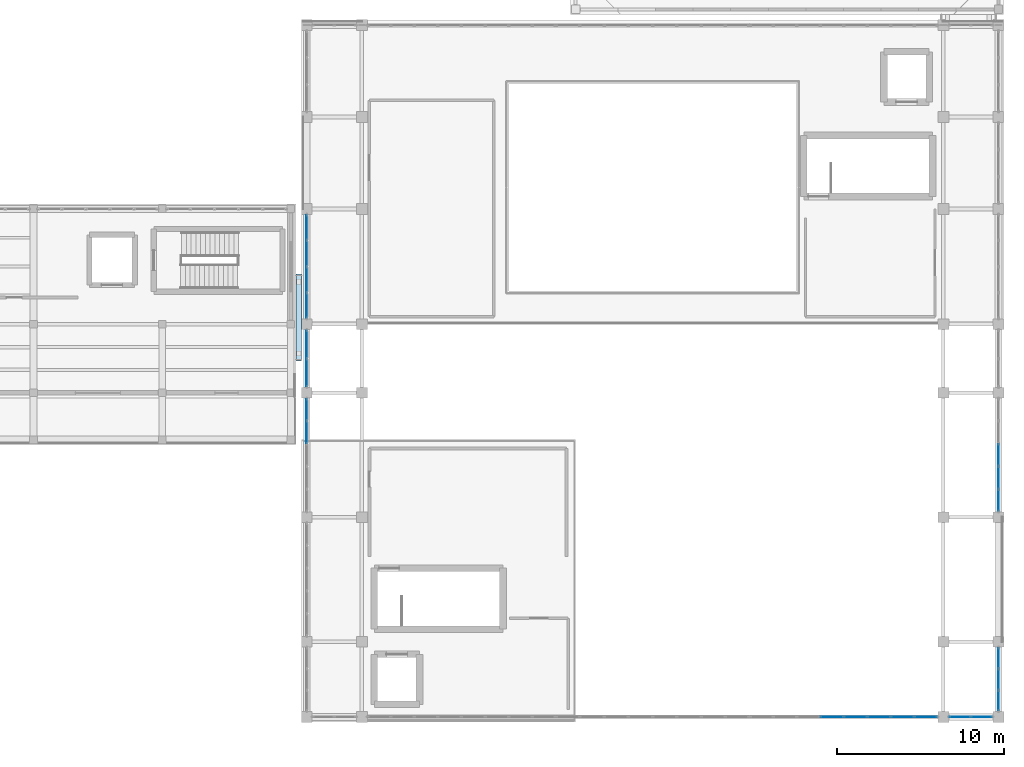
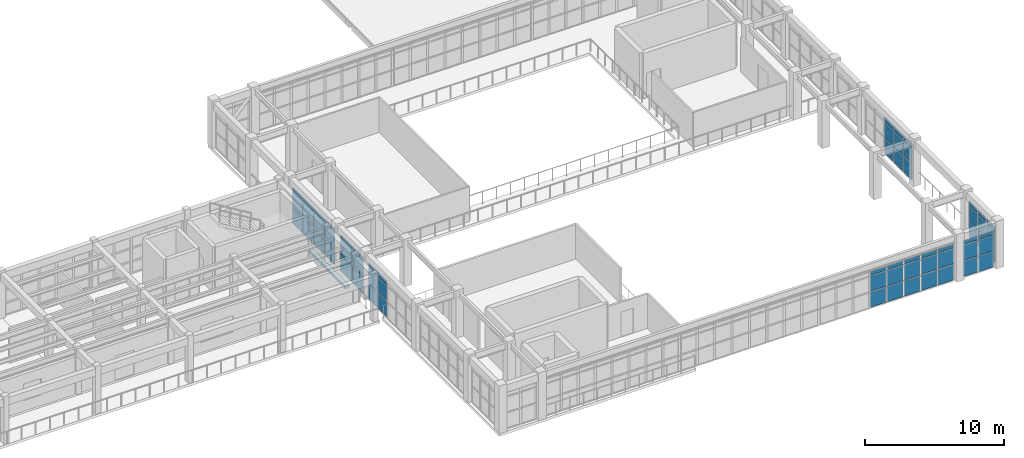
# One storey, part 43 of 66: 63 plates, 1 slab, 7 elements without a shape of their own.
"""IFC4 building model written with IfcOpenShell, lengths in metres."""

from ifc_helpers import new_model, si_unit, direction, frame, origin, origin_2d, place, context, subcontext, project, spatial, polyline, rectangle, outline, extrude, material, layer, layer_set, type_object, element, aggregate, save


model = new_model("IFC4")

# Units and contexts
model_context = context("Model", 3, precision=1e-05, world=origin(), true_north=direction((0.0, 1.0)))
body_context = subcontext(model_context, "Body", "Model", "MODEL_VIEW")
ifc_project = project(units=[si_unit("LENGTHUNIT", "METRE"), si_unit("AREAUNIT", "SQUARE_METRE"), si_unit("VOLUMEUNIT", "CUBIC_METRE"), si_unit("PLANEANGLEUNIT", "RADIAN"), si_unit("MASSUNIT", "GRAM", prefix="KILO")], contexts=[model_context])

# Site, building, storey
site_placement = place(None, origin())
site = spatial("IfcSite", under=ifc_project, at=site_placement, CompositionType="ELEMENT")
building_placement = place(site_placement, origin())
building = spatial("IfcBuilding", under=site, at=building_placement, Name="Candilejo Ridge Gondola Terminal", CompositionType="ELEMENT")
storey_placement = place(building_placement, frame((0.0, 0.0, 14.39990234375)))
storey = spatial("IfcBuildingStorey", under=building, at=storey_placement, Name="L03", CompositionType="ELEMENT", Elevation=14.39990234375)

# Curtain wall, plates
ifc_material_1 = material(Name="Anodised aluminium AA 6063-T6", Category="aluminium")
ifc_layer_1 = layer(ifc_material_1, 0.169921875)
ifc_layer_set_1 = layer_set([ifc_layer_1], Name="ARC-CW-HALL-3800-385X329")
curtain_wall_type_1 = type_object("IfcCurtainWallType", Name="ARC-CW-HALL-3800-385X329", PredefinedType="NOTDEFINED", material=ifc_layer_set_1)
curtain_wall_1_placement = place(storey_placement, origin())
curtain_wall_1 = element("IfcCurtainWall", 1, at=curtain_wall_1_placement, inside=storey, type_object=curtain_wall_type_1, Name="Curtain wall V4 L03-153", PredefinedType="NOTDEFINED")
ifc_material_2 = material(Name="Low-E laminated double glazing 6+12A+6+1.52PVB+6 mm", Category="glass")
ifc_layer_2 = layer(ifc_material_2, 0.028076171875)
ifc_layer_set_2 = layer_set([ifc_layer_2], Name="ARC-CW-GLAZ-PANEL")
plate_type = type_object("IfcPlateType", Name="ARC-CW-GLAZ-PANEL", PredefinedType="CURTAIN_PANEL", material=ifc_layer_set_2)
plate_1_placement = place(storey_placement, frame((175.300048828125, 7.282958984375, 0.06005859375), z_axis=(0.0, 0.0, 1.0), x_axis=(0.0, 1.0, 0.0)))
plate_1 = element("IfcPlate", 2, at=plate_1_placement, type_object=plate_type, Name="CW-38X32 panel 1.1", PredefinedType="CURTAIN_PANEL", context=body_context, shape_type="SweptSolid", body=[
    extrude(rectangle(XDim=1.185791015625, YDim=0.028076171875, at=origin_2d()), origin(), (0.0, 0.0, 1.0), 1.360107421875),
])
plate_2_placement = place(storey_placement, frame((175.300048828125, 7.282958984375, 1.47998046875), z_axis=(0.0, 0.0, 1.0), x_axis=(0.0, 1.0, 0.0)))
plate_2 = element("IfcPlate", 3, at=plate_2_placement, type_object=plate_type, Name="CW-38X32 panel 1.2", PredefinedType="CURTAIN_PANEL", context=body_context, shape_type="SweptSolid", body=[
    extrude(rectangle(XDim=1.185791015625, YDim=0.028076171875, at=origin_2d()), origin(), (0.0, 0.0, 1.0), 1.340087890625),
])
plate_3_placement = place(storey_placement, frame((175.300048828125, 7.282958984375, 2.880126953125), z_axis=(0.0, 0.0, 1.0), x_axis=(0.0, 1.0, 0.0)))
plate_3 = element("IfcPlate", 4, at=plate_3_placement, type_object=plate_type, Name="CW-38X32 panel 1.3", PredefinedType="CURTAIN_PANEL", context=body_context, shape_type="SweptSolid", body=[
    extrude(rectangle(XDim=1.185791015625, YDim=0.028076171875, at=origin_2d()), origin(), (0.0, 0.0, 1.0), 0.35009765625),
])
plate_4_placement = place(storey_placement, frame((175.300048828125, 8.550048828125, 0.06005859375), z_axis=(0.0, 0.0, 1.0), x_axis=(0.0, 1.0, 0.0)))
plate_4 = element("IfcPlate", 5, at=plate_4_placement, type_object=plate_type, Name="CW-38X32 panel 2.1", PredefinedType="CURTAIN_PANEL", context=body_context, shape_type="SweptSolid", body=[
    extrude(rectangle(XDim=1.21826171875, YDim=0.028076171875, at=origin_2d()), origin(), (0.0, 0.0, 1.0), 1.360107421875),
])
plate_5_placement = place(storey_placement, frame((175.300048828125, 8.550048828125, 1.47998046875), z_axis=(0.0, 0.0, 1.0), x_axis=(0.0, 1.0, 0.0)))
plate_5 = element("IfcPlate", 6, at=plate_5_placement, type_object=plate_type, Name="CW-38X32 panel 2.2", PredefinedType="CURTAIN_PANEL", context=body_context, shape_type="SweptSolid", body=[
    extrude(rectangle(XDim=1.21826171875, YDim=0.028076171875, at=origin_2d()), origin(), (0.0, 0.0, 1.0), 1.340087890625),
])
plate_6_placement = place(storey_placement, frame((175.300048828125, 8.550048828125, 2.880126953125), z_axis=(0.0, 0.0, 1.0), x_axis=(0.0, 1.0, 0.0)))
plate_6 = element("IfcPlate", 7, at=plate_6_placement, type_object=plate_type, Name="CW-38X32 panel 2.3", PredefinedType="CURTAIN_PANEL", context=body_context, shape_type="SweptSolid", body=[
    extrude(rectangle(XDim=1.21826171875, YDim=0.028076171875, at=origin_2d()), origin(), (0.0, 0.0, 1.0), 0.35009765625),
])
plate_7_placement = place(storey_placement, frame((175.300048828125, 9.817138671875, 0.06005859375), z_axis=(0.0, 0.0, 1.0), x_axis=(0.0, 1.0, 0.0)))
plate_7 = element("IfcPlate", 8, at=plate_7_placement, type_object=plate_type, Name="CW-38X32 panel 3.1", PredefinedType="CURTAIN_PANEL", context=body_context, shape_type="SweptSolid", body=[
    extrude(rectangle(XDim=1.185791015625, YDim=0.028076171875, at=origin_2d()), origin(), (0.0, 0.0, 1.0), 1.360107421875),
])
plate_8_placement = place(storey_placement, frame((175.300048828125, 9.817138671875, 1.47998046875), z_axis=(0.0, 0.0, 1.0), x_axis=(0.0, 1.0, 0.0)))
plate_8 = element("IfcPlate", 9, at=plate_8_placement, type_object=plate_type, Name="CW-38X32 panel 3.2", PredefinedType="CURTAIN_PANEL", context=body_context, shape_type="SweptSolid", body=[
    extrude(rectangle(XDim=1.185791015625, YDim=0.028076171875, at=origin_2d()), origin(), (0.0, 0.0, 1.0), 1.340087890625),
])
plate_9_placement = place(storey_placement, frame((175.300048828125, 9.817138671875, 2.880126953125), z_axis=(0.0, 0.0, 1.0), x_axis=(0.0, 1.0, 0.0)))
plate_9 = element("IfcPlate", 10, at=plate_9_placement, type_object=plate_type, Name="CW-38X32 panel 3.3", PredefinedType="CURTAIN_PANEL", context=body_context, shape_type="SweptSolid", body=[
    extrude(rectangle(XDim=1.185791015625, YDim=0.028076171875, at=origin_2d()), origin(), (0.0, 0.0, 1.0), 0.35009765625),
])
aggregate(curtain_wall_1, [plate_1, plate_2, plate_3, plate_4, plate_5, plate_6, plate_7, plate_8, plate_9])

ifc_material_3 = material(Name="Anodised aluminium AA 6063-T6", Category="aluminium")
ifc_layer_3 = layer(ifc_material_3, 0.169921875)
ifc_layer_set_3 = layer_set([ifc_layer_3], Name="ARC-CW-HALL-3800-680X329")
curtain_wall_type_2 = type_object("IfcCurtainWallType", Name="ARC-CW-HALL-3800-680X329", PredefinedType="NOTDEFINED", material=ifc_layer_set_3)
curtain_wall_2_placement = place(storey_placement, origin())
curtain_wall_2 = element("IfcCurtainWall", 11, at=curtain_wall_2_placement, inside=storey, type_object=curtain_wall_type_2, Name="Curtain wall V4 L03-155", PredefinedType="NOTDEFINED")
plate_10_placement = place(storey_placement, frame((133.89990234375, 23.3349609375, 0.06005859375), z_axis=(0.0, 0.0, 1.0), x_axis=(0.0, 1.0, 0.0)))
plate_10 = element("IfcPlate", 12, at=plate_10_placement, type_object=plate_type, Name="CW-68X32 panel 4.1", PredefinedType="CURTAIN_PANEL", context=body_context, shape_type="SweptSolid", body=[
    extrude(rectangle(XDim=1.294921875, YDim=0.028076171875, at=origin_2d()), origin(), (0.0, 0.0, 1.0), 1.360107421875),
])
plate_11_placement = place(storey_placement, frame((133.89990234375, 23.3349609375, 1.47998046875), z_axis=(0.0, 0.0, 1.0), x_axis=(0.0, 1.0, 0.0)))
plate_11 = element("IfcPlate", 13, at=plate_11_placement, type_object=plate_type, Name="CW-68X32 panel 4.2", PredefinedType="CURTAIN_PANEL", context=body_context, shape_type="SweptSolid", body=[
    extrude(rectangle(XDim=1.294921875, YDim=0.028076171875, at=origin_2d()), origin(), (0.0, 0.0, 1.0), 1.340087890625),
])
plate_12_placement = place(storey_placement, frame((133.89990234375, 23.3349609375, 2.880126953125), z_axis=(0.0, 0.0, 1.0), x_axis=(0.0, 1.0, 0.0)))
plate_12 = element("IfcPlate", 14, at=plate_12_placement, type_object=plate_type, Name="CW-68X32 panel 4.3", PredefinedType="CURTAIN_PANEL", context=body_context, shape_type="SweptSolid", body=[
    extrude(rectangle(XDim=1.294921875, YDim=0.028076171875, at=origin_2d()), origin(), (0.0, 0.0, 1.0), 0.35009765625),
])
plate_13_placement = place(storey_placement, frame((133.89990234375, 24.6787109375, 0.06005859375), z_axis=(0.0, 0.0, 1.0), x_axis=(0.0, 1.0, 0.0)))
plate_13 = element("IfcPlate", 15, at=plate_13_placement, type_object=plate_type, Name="CW-68X32 panel 5.1", PredefinedType="CURTAIN_PANEL", context=body_context, shape_type="SweptSolid", body=[
    extrude(rectangle(XDim=1.262451171875, YDim=0.028076171875, at=origin_2d()), origin(), (0.0, 0.0, 1.0), 1.360107421875),
])
plate_14_placement = place(storey_placement, frame((133.89990234375, 24.6787109375, 1.47998046875), z_axis=(0.0, 0.0, 1.0), x_axis=(0.0, 1.0, 0.0)))
plate_14 = element("IfcPlate", 16, at=plate_14_placement, type_object=plate_type, Name="CW-68X32 panel 5.2", PredefinedType="CURTAIN_PANEL", context=body_context, shape_type="SweptSolid", body=[
    extrude(rectangle(XDim=1.262451171875, YDim=0.028076171875, at=origin_2d()), origin(), (0.0, 0.0, 1.0), 1.340087890625),
])
plate_15_placement = place(storey_placement, frame((133.89990234375, 24.6787109375, 2.880126953125), z_axis=(0.0, 0.0, 1.0), x_axis=(0.0, 1.0, 0.0)))
plate_15 = element("IfcPlate", 17, at=plate_15_placement, type_object=plate_type, Name="CW-68X32 panel 5.3", PredefinedType="CURTAIN_PANEL", context=body_context, shape_type="SweptSolid", body=[
    extrude(rectangle(XDim=1.262451171875, YDim=0.028076171875, at=origin_2d()), origin(), (0.0, 0.0, 1.0), 0.35009765625),
])
aggregate(curtain_wall_2, [plate_10, plate_11, plate_12, plate_13, plate_14, plate_15])

curtain_wall_3_placement = place(storey_placement, origin())
curtain_wall_3 = element("IfcCurtainWall", 18, at=curtain_wall_3_placement, inside=storey, type_object=curtain_wall_type_2, Name="Curtain wall V4 L03-156", PredefinedType="NOTDEFINED")
plate_16_placement = place(storey_placement, frame((175.300048828125, 19.271240234375, 0.06005859375), z_axis=(0.0, 0.0, 1.0), x_axis=(0.0, 1.0, 0.0)))
plate_16 = element("IfcPlate", 19, at=plate_16_placement, type_object=plate_type, Name="CW-68X32 panel 1.1", PredefinedType="CURTAIN_PANEL", context=body_context, shape_type="SweptSolid", body=[
    extrude(rectangle(XDim=1.262451171875, YDim=0.028076171875, at=origin_2d()), origin(), (0.0, 0.0, 1.0), 1.360107421875),
])
plate_17_placement = place(storey_placement, frame((175.300048828125, 19.271240234375, 1.47998046875), z_axis=(0.0, 0.0, 1.0), x_axis=(0.0, 1.0, 0.0)))
plate_17 = element("IfcPlate", 20, at=plate_17_placement, type_object=plate_type, Name="CW-68X32 panel 1.2", PredefinedType="CURTAIN_PANEL", context=body_context, shape_type="SweptSolid", body=[
    extrude(rectangle(XDim=1.262451171875, YDim=0.028076171875, at=origin_2d()), origin(), (0.0, 0.0, 1.0), 1.340087890625),
])
plate_18_placement = place(storey_placement, frame((175.300048828125, 19.271240234375, 2.880126953125), z_axis=(0.0, 0.0, 1.0), x_axis=(0.0, 1.0, 0.0)))
plate_18 = element("IfcPlate", 21, at=plate_18_placement, type_object=plate_type, Name="CW-68X32 panel 1.3", PredefinedType="CURTAIN_PANEL", context=body_context, shape_type="SweptSolid", body=[
    extrude(rectangle(XDim=1.262451171875, YDim=0.028076171875, at=origin_2d()), origin(), (0.0, 0.0, 1.0), 0.35009765625),
])
plate_19_placement = place(storey_placement, frame((175.300048828125, 20.614990234375, 0.06005859375), z_axis=(0.0, 0.0, 1.0), x_axis=(0.0, 1.0, 0.0)))
plate_19 = element("IfcPlate", 22, at=plate_19_placement, type_object=plate_type, Name="CW-68X32 panel 2.1", PredefinedType="CURTAIN_PANEL", context=body_context, shape_type="SweptSolid", body=[
    extrude(rectangle(XDim=1.294921875, YDim=0.028076171875, at=origin_2d()), origin(), (0.0, 0.0, 1.0), 1.360107421875),
])
plate_20_placement = place(storey_placement, frame((175.300048828125, 20.614990234375, 1.47998046875), z_axis=(0.0, 0.0, 1.0), x_axis=(0.0, 1.0, 0.0)))
plate_20 = element("IfcPlate", 23, at=plate_20_placement, type_object=plate_type, Name="CW-68X32 panel 2.2", PredefinedType="CURTAIN_PANEL", context=body_context, shape_type="SweptSolid", body=[
    extrude(rectangle(XDim=1.294921875, YDim=0.028076171875, at=origin_2d()), origin(), (0.0, 0.0, 1.0), 1.340087890625),
])
plate_21_placement = place(storey_placement, frame((175.300048828125, 20.614990234375, 2.880126953125), z_axis=(0.0, 0.0, 1.0), x_axis=(0.0, 1.0, 0.0)))
plate_21 = element("IfcPlate", 24, at=plate_21_placement, type_object=plate_type, Name="CW-68X32 panel 2.3", PredefinedType="CURTAIN_PANEL", context=body_context, shape_type="SweptSolid", body=[
    extrude(rectangle(XDim=1.294921875, YDim=0.028076171875, at=origin_2d()), origin(), (0.0, 0.0, 1.0), 0.35009765625),
])
plate_22_placement = place(storey_placement, frame((175.300048828125, 21.97509765625, 0.06005859375), z_axis=(0.0, 0.0, 1.0), x_axis=(0.0, 1.0, 0.0)))
plate_22 = element("IfcPlate", 25, at=plate_22_placement, type_object=plate_type, Name="CW-68X32 panel 3.1", PredefinedType="CURTAIN_PANEL", context=body_context, shape_type="SweptSolid", body=[
    extrude(rectangle(XDim=1.294921875, YDim=0.028076171875, at=origin_2d()), origin(), (0.0, 0.0, 1.0), 1.360107421875),
])
plate_23_placement = place(storey_placement, frame((175.300048828125, 21.97509765625, 1.47998046875), z_axis=(0.0, 0.0, 1.0), x_axis=(0.0, 1.0, 0.0)))
plate_23 = element("IfcPlate", 26, at=plate_23_placement, type_object=plate_type, Name="CW-68X32 panel 3.2", PredefinedType="CURTAIN_PANEL", context=body_context, shape_type="SweptSolid", body=[
    extrude(rectangle(XDim=1.294921875, YDim=0.028076171875, at=origin_2d()), origin(), (0.0, 0.0, 1.0), 1.340087890625),
])
plate_24_placement = place(storey_placement, frame((175.300048828125, 21.97509765625, 2.880126953125), z_axis=(0.0, 0.0, 1.0), x_axis=(0.0, 1.0, 0.0)))
plate_24 = element("IfcPlate", 27, at=plate_24_placement, type_object=plate_type, Name="CW-68X32 panel 3.3", PredefinedType="CURTAIN_PANEL", context=body_context, shape_type="SweptSolid", body=[
    extrude(rectangle(XDim=1.294921875, YDim=0.028076171875, at=origin_2d()), origin(), (0.0, 0.0, 1.0), 0.35009765625),
])
aggregate(curtain_wall_3, [plate_16, plate_17, plate_18, plate_19, plate_20, plate_21, plate_22, plate_23, plate_24])

ifc_material_4 = material(Name="Anodised aluminium AA 6063-T6", Category="aluminium")
ifc_layer_4 = layer(ifc_material_4, 0.169921875)
ifc_layer_set_4 = layer_set([ifc_layer_4], Name="ARC-CW-HALL-3800-345X329")
curtain_wall_type_3 = type_object("IfcCurtainWallType", Name="ARC-CW-HALL-3800-345X329", PredefinedType="NOTDEFINED", material=ifc_layer_set_4)
curtain_wall_4_placement = place(storey_placement, origin())
curtain_wall_4 = element("IfcCurtainWall", 28, at=curtain_wall_4_placement, inside=storey, type_object=curtain_wall_type_3, Name="Curtain wall V4 L03-157", PredefinedType="NOTDEFINED")
plate_25_placement = place(storey_placement, frame((133.89990234375, 26.90380859375, 0.06005859375), z_axis=(0.0, 0.0, 1.0), x_axis=(0.0, 1.0, 0.0)))
plate_25 = element("IfcPlate", 29, at=plate_25_placement, type_object=plate_type, Name="CW-34X32 panel 1.1", PredefinedType="CURTAIN_PANEL", context=body_context, shape_type="SweptSolid", body=[
    extrude(rectangle(XDim=1.62744140625, YDim=0.028076171875, at=origin_2d()), origin(), (0.0, 0.0, 1.0), 1.360107421875),
])
plate_26_placement = place(storey_placement, frame((133.89990234375, 26.90380859375, 1.47998046875), z_axis=(0.0, 0.0, 1.0), x_axis=(0.0, 1.0, 0.0)))
plate_26 = element("IfcPlate", 30, at=plate_26_placement, type_object=plate_type, Name="CW-34X32 panel 1.2", PredefinedType="CURTAIN_PANEL", context=body_context, shape_type="SweptSolid", body=[
    extrude(rectangle(XDim=1.62744140625, YDim=0.028076171875, at=origin_2d()), origin(), (0.0, 0.0, 1.0), 1.340087890625),
])
plate_27_placement = place(storey_placement, frame((133.89990234375, 26.90380859375, 2.880126953125), z_axis=(0.0, 0.0, 1.0), x_axis=(0.0, 1.0, 0.0)))
plate_27 = element("IfcPlate", 31, at=plate_27_placement, type_object=plate_type, Name="CW-34X32 panel 1.3", PredefinedType="CURTAIN_PANEL", context=body_context, shape_type="SweptSolid", body=[
    extrude(rectangle(XDim=1.62744140625, YDim=0.028076171875, at=origin_2d()), origin(), (0.0, 0.0, 1.0), 0.35009765625),
])
plate_28_placement = place(storey_placement, frame((133.89990234375, 28.59619140625, 0.06005859375), z_axis=(0.0, 0.0, 1.0), x_axis=(0.0, 1.0, 0.0)))
plate_28 = element("IfcPlate", 32, at=plate_28_placement, type_object=plate_type, Name="CW-34X32 panel 2.1", PredefinedType="CURTAIN_PANEL", context=body_context, shape_type="SweptSolid", body=[
    extrude(rectangle(XDim=1.62744140625, YDim=0.028076171875, at=origin_2d()), origin(), (0.0, 0.0, 1.0), 1.360107421875),
])
plate_29_placement = place(storey_placement, frame((133.89990234375, 28.59619140625, 1.47998046875), z_axis=(0.0, 0.0, 1.0), x_axis=(0.0, 1.0, 0.0)))
plate_29 = element("IfcPlate", 33, at=plate_29_placement, type_object=plate_type, Name="CW-34X32 panel 2.2", PredefinedType="CURTAIN_PANEL", context=body_context, shape_type="SweptSolid", body=[
    extrude(rectangle(XDim=1.62744140625, YDim=0.028076171875, at=origin_2d()), origin(), (0.0, 0.0, 1.0), 1.340087890625),
])
plate_30_placement = place(storey_placement, frame((133.89990234375, 28.59619140625, 2.880126953125), z_axis=(0.0, 0.0, 1.0), x_axis=(0.0, 1.0, 0.0)))
plate_30 = element("IfcPlate", 34, at=plate_30_placement, type_object=plate_type, Name="CW-34X32 panel 2.3", PredefinedType="CURTAIN_PANEL", context=body_context, shape_type="SweptSolid", body=[
    extrude(rectangle(XDim=1.62744140625, YDim=0.028076171875, at=origin_2d()), origin(), (0.0, 0.0, 1.0), 0.35009765625),
])
aggregate(curtain_wall_4, [plate_25, plate_26, plate_27, plate_28, plate_29, plate_30])

ifc_material_5 = material(Name="Anodised aluminium AA 6063-T6", Category="aluminium")
ifc_layer_5 = layer(ifc_material_5, 0.169921875)
ifc_layer_set_5 = layer_set([ifc_layer_5], Name="ARC-CW-HALL-3800-625X329")
curtain_wall_type_4 = type_object("IfcCurtainWallType", Name="ARC-CW-HALL-3800-625X329", PredefinedType="NOTDEFINED", material=ifc_layer_set_5)
curtain_wall_5_placement = place(storey_placement, origin())
curtain_wall_5 = element("IfcCurtainWall", 35, at=curtain_wall_5_placement, inside=storey, type_object=curtain_wall_type_4, Name="Curtain wall V4 L03-159", PredefinedType="NOTDEFINED")
plate_31_placement = place(storey_placement, frame((133.89990234375, 30.922607421875, 0.06005859375), z_axis=(0.0, 0.0, 1.0), x_axis=(0.0, 1.0, 0.0)))
plate_31 = element("IfcPlate", 36, at=plate_31_placement, type_object=plate_type, Name="CW-62X32 panel 1.1", PredefinedType="CURTAIN_PANEL", context=body_context, shape_type="SweptSolid", body=[
    extrude(rectangle(XDim=1.465087890625, YDim=0.028076171875, at=origin_2d()), origin(), (0.0, 0.0, 1.0), 1.360107421875),
])
plate_32_placement = place(storey_placement, frame((133.89990234375, 30.922607421875, 1.47998046875), z_axis=(0.0, 0.0, 1.0), x_axis=(0.0, 1.0, 0.0)))
plate_32 = element("IfcPlate", 37, at=plate_32_placement, type_object=plate_type, Name="CW-62X32 panel 1.2", PredefinedType="CURTAIN_PANEL", context=body_context, shape_type="SweptSolid", body=[
    extrude(rectangle(XDim=1.465087890625, YDim=0.028076171875, at=origin_2d()), origin(), (0.0, 0.0, 1.0), 1.340087890625),
])
plate_33_placement = place(storey_placement, frame((133.89990234375, 30.922607421875, 2.880126953125), z_axis=(0.0, 0.0, 1.0), x_axis=(0.0, 1.0, 0.0)))
plate_33 = element("IfcPlate", 38, at=plate_33_placement, type_object=plate_type, Name="CW-62X32 panel 1.3", PredefinedType="CURTAIN_PANEL", context=body_context, shape_type="SweptSolid", body=[
    extrude(rectangle(XDim=1.465087890625, YDim=0.028076171875, at=origin_2d()), origin(), (0.0, 0.0, 1.0), 0.35009765625),
])
plate_34_placement = place(storey_placement, frame((133.89990234375, 32.46875, 0.06005859375), z_axis=(0.0, 0.0, 1.0), x_axis=(0.0, 1.0, 0.0)))
plate_34 = element("IfcPlate", 39, at=plate_34_placement, type_object=plate_type, Name="CW-62X32 panel 2.1", PredefinedType="CURTAIN_PANEL", context=body_context, shape_type="SweptSolid", body=[
    extrude(rectangle(XDim=1.49755859375, YDim=0.028076171875, at=origin_2d()), origin(), (0.0, 0.0, 1.0), 1.360107421875),
])
plate_35_placement = place(storey_placement, frame((133.89990234375, 32.46875, 1.47998046875), z_axis=(0.0, 0.0, 1.0), x_axis=(0.0, 1.0, 0.0)))
plate_35 = element("IfcPlate", 40, at=plate_35_placement, type_object=plate_type, Name="CW-62X32 panel 2.2", PredefinedType="CURTAIN_PANEL", context=body_context, shape_type="SweptSolid", body=[
    extrude(rectangle(XDim=1.49755859375, YDim=0.028076171875, at=origin_2d()), origin(), (0.0, 0.0, 1.0), 1.340087890625),
])
plate_36_placement = place(storey_placement, frame((133.89990234375, 32.46875, 2.880126953125), z_axis=(0.0, 0.0, 1.0), x_axis=(0.0, 1.0, 0.0)))
plate_36 = element("IfcPlate", 41, at=plate_36_placement, type_object=plate_type, Name="CW-62X32 panel 2.3", PredefinedType="CURTAIN_PANEL", context=body_context, shape_type="SweptSolid", body=[
    extrude(rectangle(XDim=1.49755859375, YDim=0.028076171875, at=origin_2d()), origin(), (0.0, 0.0, 1.0), 0.35009765625),
])
plate_37_placement = place(storey_placement, frame((133.89990234375, 34.03125, 0.06005859375), z_axis=(0.0, 0.0, 1.0), x_axis=(0.0, 1.0, 0.0)))
plate_37 = element("IfcPlate", 42, at=plate_37_placement, type_object=plate_type, Name="CW-62X32 panel 3.1", PredefinedType="CURTAIN_PANEL", context=body_context, shape_type="SweptSolid", body=[
    extrude(rectangle(XDim=1.49755859375, YDim=0.028076171875, at=origin_2d()), origin(), (0.0, 0.0, 1.0), 1.360107421875),
])
plate_38_placement = place(storey_placement, frame((133.89990234375, 34.03125, 1.47998046875), z_axis=(0.0, 0.0, 1.0), x_axis=(0.0, 1.0, 0.0)))
plate_38 = element("IfcPlate", 43, at=plate_38_placement, type_object=plate_type, Name="CW-62X32 panel 3.2", PredefinedType="CURTAIN_PANEL", context=body_context, shape_type="SweptSolid", body=[
    extrude(rectangle(XDim=1.49755859375, YDim=0.028076171875, at=origin_2d()), origin(), (0.0, 0.0, 1.0), 1.340087890625),
])
plate_39_placement = place(storey_placement, frame((133.89990234375, 34.03125, 2.880126953125), z_axis=(0.0, 0.0, 1.0), x_axis=(0.0, 1.0, 0.0)))
plate_39 = element("IfcPlate", 44, at=plate_39_placement, type_object=plate_type, Name="CW-62X32 panel 3.3", PredefinedType="CURTAIN_PANEL", context=body_context, shape_type="SweptSolid", body=[
    extrude(rectangle(XDim=1.49755859375, YDim=0.028076171875, at=origin_2d()), origin(), (0.0, 0.0, 1.0), 0.35009765625),
])
plate_40_placement = place(storey_placement, frame((133.89990234375, 35.577392578125, 0.06005859375), z_axis=(0.0, 0.0, 1.0), x_axis=(0.0, 1.0, 0.0)))
plate_40 = element("IfcPlate", 45, at=plate_40_placement, type_object=plate_type, Name="CW-62X32 panel 4.1", PredefinedType="CURTAIN_PANEL", context=body_context, shape_type="SweptSolid", body=[
    extrude(rectangle(XDim=1.465087890625, YDim=0.028076171875, at=origin_2d()), origin(), (0.0, 0.0, 1.0), 1.360107421875),
])
plate_41_placement = place(storey_placement, frame((133.89990234375, 35.577392578125, 1.47998046875), z_axis=(0.0, 0.0, 1.0), x_axis=(0.0, 1.0, 0.0)))
plate_41 = element("IfcPlate", 46, at=plate_41_placement, type_object=plate_type, Name="CW-62X32 panel 4.2", PredefinedType="CURTAIN_PANEL", context=body_context, shape_type="SweptSolid", body=[
    extrude(rectangle(XDim=1.465087890625, YDim=0.028076171875, at=origin_2d()), origin(), (0.0, 0.0, 1.0), 1.340087890625),
])
plate_42_placement = place(storey_placement, frame((133.89990234375, 35.577392578125, 2.880126953125), z_axis=(0.0, 0.0, 1.0), x_axis=(0.0, 1.0, 0.0)))
plate_42 = element("IfcPlate", 47, at=plate_42_placement, type_object=plate_type, Name="CW-62X32 panel 4.3", PredefinedType="CURTAIN_PANEL", context=body_context, shape_type="SweptSolid", body=[
    extrude(rectangle(XDim=1.465087890625, YDim=0.028076171875, at=origin_2d()), origin(), (0.0, 0.0, 1.0), 0.35009765625),
])
aggregate(curtain_wall_5, [plate_31, plate_32, plate_33, plate_34, plate_35, plate_36, plate_37, plate_38, plate_39, plate_40, plate_41, plate_42])

ifc_material_6 = material(Name="Anodised aluminium AA 6063-T6", Category="aluminium")
ifc_layer_6 = layer(ifc_material_6, 0.169921875)
ifc_layer_set_6 = layer_set([ifc_layer_6], Name="ARC-CW-HALL-3800-265X329")
curtain_wall_type_5 = type_object("IfcCurtainWallType", Name="ARC-CW-HALL-3800-265X329", PredefinedType="NOTDEFINED", material=ifc_layer_set_6)
curtain_wall_6_placement = place(storey_placement, origin())
curtain_wall_6 = element("IfcCurtainWall", 48, at=curtain_wall_6_placement, inside=storey, type_object=curtain_wall_type_5, Name="Curtain wall V4 L03-165", PredefinedType="NOTDEFINED")
plate_43_placement = place(storey_placement, frame((173.003662109375, 6.300048828125, 0.06005859375), z_axis=(0.0, 0.0, 1.0), x_axis=(1.0, 0.0, 0.0)))
plate_43 = element("IfcPlate", 49, at=plate_43_placement, type_object=plate_type, Name="CW-26X32 panel 1.1", PredefinedType="CURTAIN_PANEL", context=body_context, shape_type="SweptSolid", body=[
    extrude(rectangle(XDim=1.2275390625, YDim=0.028076171875, at=origin_2d()), origin(), (0.0, 0.0, 1.0), 1.360107421875),
])
plate_44_placement = place(storey_placement, frame((173.003662109375, 6.300048828125, 1.47998046875), z_axis=(0.0, 0.0, 1.0), x_axis=(1.0, 0.0, 0.0)))
plate_44 = element("IfcPlate", 50, at=plate_44_placement, type_object=plate_type, Name="CW-26X32 panel 1.2", PredefinedType="CURTAIN_PANEL", context=body_context, shape_type="SweptSolid", body=[
    extrude(rectangle(XDim=1.2275390625, YDim=0.028076171875, at=origin_2d()), origin(), (0.0, 0.0, 1.0), 1.340087890625),
])
plate_45_placement = place(storey_placement, frame((173.003662109375, 6.300048828125, 2.880126953125), z_axis=(0.0, 0.0, 1.0), x_axis=(1.0, 0.0, 0.0)))
plate_45 = element("IfcPlate", 51, at=plate_45_placement, type_object=plate_type, Name="CW-26X32 panel 1.3", PredefinedType="CURTAIN_PANEL", context=body_context, shape_type="SweptSolid", body=[
    extrude(rectangle(XDim=1.2275390625, YDim=0.028076171875, at=origin_2d()), origin(), (0.0, 0.0, 1.0), 0.35009765625),
])
plate_46_placement = place(storey_placement, frame((174.296142578125, 6.300048828125, 0.06005859375), z_axis=(0.0, 0.0, 1.0), x_axis=(1.0, 0.0, 0.0)))
plate_46 = element("IfcPlate", 52, at=plate_46_placement, type_object=plate_type, Name="CW-26X32 panel 2.1", PredefinedType="CURTAIN_PANEL", context=body_context, shape_type="SweptSolid", body=[
    extrude(rectangle(XDim=1.2275390625, YDim=0.028076171875, at=origin_2d()), origin(), (0.0, 0.0, 1.0), 1.360107421875),
])
plate_47_placement = place(storey_placement, frame((174.296142578125, 6.300048828125, 1.47998046875), z_axis=(0.0, 0.0, 1.0), x_axis=(1.0, 0.0, 0.0)))
plate_47 = element("IfcPlate", 53, at=plate_47_placement, type_object=plate_type, Name="CW-26X32 panel 2.2", PredefinedType="CURTAIN_PANEL", context=body_context, shape_type="SweptSolid", body=[
    extrude(rectangle(XDim=1.2275390625, YDim=0.028076171875, at=origin_2d()), origin(), (0.0, 0.0, 1.0), 1.340087890625),
])
plate_48_placement = place(storey_placement, frame((174.296142578125, 6.300048828125, 2.880126953125), z_axis=(0.0, 0.0, 1.0), x_axis=(1.0, 0.0, 0.0)))
plate_48 = element("IfcPlate", 54, at=plate_48_placement, type_object=plate_type, Name="CW-26X32 panel 2.3", PredefinedType="CURTAIN_PANEL", context=body_context, shape_type="SweptSolid", body=[
    extrude(rectangle(XDim=1.2275390625, YDim=0.028076171875, at=origin_2d()), origin(), (0.0, 0.0, 1.0), 0.35009765625),
])
aggregate(curtain_wall_6, [plate_43, plate_44, plate_45, plate_46, plate_47, plate_48])

ifc_material_7 = material(Name="Anodised aluminium AA 6063-T6", Category="aluminium")
ifc_layer_7 = layer(ifc_material_7, 0.169921875)
ifc_layer_set_7 = layer_set([ifc_layer_7], Name="ARC-CW-HALL-3800-1128X329")
curtain_wall_type_6 = type_object("IfcCurtainWallType", Name="ARC-CW-HALL-3800-1128X329", PredefinedType="NOTDEFINED", material=ifc_layer_set_7)
curtain_wall_7_placement = place(storey_placement, origin())
curtain_wall_7 = element("IfcCurtainWall", 55, at=curtain_wall_7_placement, inside=storey, type_object=curtain_wall_type_6, Name="Curtain wall V4 L03-168", PredefinedType="NOTDEFINED")
plate_49_placement = place(storey_placement, frame((165.332763671875, 6.300048828125, 0.06005859375), z_axis=(0.0, 0.0, 1.0), x_axis=(1.0, 0.0, 0.0)))
plate_49 = element("IfcPlate", 56, at=plate_49_placement, type_object=plate_type, Name="CW-112X32 panel 4.1", PredefinedType="CURTAIN_PANEL", context=body_context, shape_type="SweptSolid", body=[
    extrude(rectangle(XDim=1.344482421875, YDim=0.028076171875, at=origin_2d()), origin(), (0.0, 0.0, 1.0), 1.360107421875),
])
plate_50_placement = place(storey_placement, frame((165.332763671875, 6.300048828125, 1.47998046875), z_axis=(0.0, 0.0, 1.0), x_axis=(1.0, 0.0, 0.0)))
plate_50 = element("IfcPlate", 57, at=plate_50_placement, type_object=plate_type, Name="CW-112X32 panel 4.2", PredefinedType="CURTAIN_PANEL", context=body_context, shape_type="SweptSolid", body=[
    extrude(rectangle(XDim=1.344482421875, YDim=0.028076171875, at=origin_2d()), origin(), (0.0, 0.0, 1.0), 1.340087890625),
])
plate_51_placement = place(storey_placement, frame((165.332763671875, 6.300048828125, 2.880126953125), z_axis=(0.0, 0.0, 1.0), x_axis=(1.0, 0.0, 0.0)))
plate_51 = element("IfcPlate", 58, at=plate_51_placement, type_object=plate_type, Name="CW-112X32 panel 4.3", PredefinedType="CURTAIN_PANEL", context=body_context, shape_type="SweptSolid", body=[
    extrude(rectangle(XDim=1.344482421875, YDim=0.028076171875, at=origin_2d()), origin(), (0.0, 0.0, 1.0), 0.35009765625),
])
plate_52_placement = place(storey_placement, frame((166.7421875, 6.300048828125, 0.06005859375), z_axis=(0.0, 0.0, 1.0), x_axis=(1.0, 0.0, 0.0)))
plate_52 = element("IfcPlate", 59, at=plate_52_placement, type_object=plate_type, Name="CW-112X32 panel 5.1", PredefinedType="CURTAIN_PANEL", context=body_context, shape_type="SweptSolid", body=[
    extrude(rectangle(XDim=1.344482421875, YDim=0.028076171875, at=origin_2d()), origin(), (0.0, 0.0, 1.0), 1.360107421875),
])
plate_53_placement = place(storey_placement, frame((166.7421875, 6.300048828125, 1.47998046875), z_axis=(0.0, 0.0, 1.0), x_axis=(1.0, 0.0, 0.0)))
plate_53 = element("IfcPlate", 60, at=plate_53_placement, type_object=plate_type, Name="CW-112X32 panel 5.2", PredefinedType="CURTAIN_PANEL", context=body_context, shape_type="SweptSolid", body=[
    extrude(rectangle(XDim=1.344482421875, YDim=0.028076171875, at=origin_2d()), origin(), (0.0, 0.0, 1.0), 1.340087890625),
])
plate_54_placement = place(storey_placement, frame((166.7421875, 6.300048828125, 2.880126953125), z_axis=(0.0, 0.0, 1.0), x_axis=(1.0, 0.0, 0.0)))
plate_54 = element("IfcPlate", 61, at=plate_54_placement, type_object=plate_type, Name="CW-112X32 panel 5.3", PredefinedType="CURTAIN_PANEL", context=body_context, shape_type="SweptSolid", body=[
    extrude(rectangle(XDim=1.344482421875, YDim=0.028076171875, at=origin_2d()), origin(), (0.0, 0.0, 1.0), 0.35009765625),
])
plate_55_placement = place(storey_placement, frame((168.151611328125, 6.300048828125, 0.06005859375), z_axis=(0.0, 0.0, 1.0), x_axis=(1.0, 0.0, 0.0)))
plate_55 = element("IfcPlate", 62, at=plate_55_placement, type_object=plate_type, Name="CW-112X32 panel 6.1", PredefinedType="CURTAIN_PANEL", context=body_context, shape_type="SweptSolid", body=[
    extrude(rectangle(XDim=1.344482421875, YDim=0.028076171875, at=origin_2d()), origin(), (0.0, 0.0, 1.0), 1.360107421875),
])
plate_56_placement = place(storey_placement, frame((168.151611328125, 6.300048828125, 1.47998046875), z_axis=(0.0, 0.0, 1.0), x_axis=(1.0, 0.0, 0.0)))
plate_56 = element("IfcPlate", 63, at=plate_56_placement, type_object=plate_type, Name="CW-112X32 panel 6.2", PredefinedType="CURTAIN_PANEL", context=body_context, shape_type="SweptSolid", body=[
    extrude(rectangle(XDim=1.344482421875, YDim=0.028076171875, at=origin_2d()), origin(), (0.0, 0.0, 1.0), 1.340087890625),
])
plate_57_placement = place(storey_placement, frame((168.151611328125, 6.300048828125, 2.880126953125), z_axis=(0.0, 0.0, 1.0), x_axis=(1.0, 0.0, 0.0)))
plate_57 = element("IfcPlate", 64, at=plate_57_placement, type_object=plate_type, Name="CW-112X32 panel 6.3", PredefinedType="CURTAIN_PANEL", context=body_context, shape_type="SweptSolid", body=[
    extrude(rectangle(XDim=1.344482421875, YDim=0.028076171875, at=origin_2d()), origin(), (0.0, 0.0, 1.0), 0.35009765625),
])
plate_58_placement = place(storey_placement, frame((169.56103515625, 6.300048828125, 0.06005859375), z_axis=(0.0, 0.0, 1.0), x_axis=(1.0, 0.0, 0.0)))
plate_58 = element("IfcPlate", 65, at=plate_58_placement, type_object=plate_type, Name="CW-112X32 panel 7.1", PredefinedType="CURTAIN_PANEL", context=body_context, shape_type="SweptSolid", body=[
    extrude(rectangle(XDim=1.344482421875, YDim=0.028076171875, at=origin_2d()), origin(), (0.0, 0.0, 1.0), 1.360107421875),
])
plate_59_placement = place(storey_placement, frame((169.56103515625, 6.300048828125, 1.47998046875), z_axis=(0.0, 0.0, 1.0), x_axis=(1.0, 0.0, 0.0)))
plate_59 = element("IfcPlate", 66, at=plate_59_placement, type_object=plate_type, Name="CW-112X32 panel 7.2", PredefinedType="CURTAIN_PANEL", context=body_context, shape_type="SweptSolid", body=[
    extrude(rectangle(XDim=1.344482421875, YDim=0.028076171875, at=origin_2d()), origin(), (0.0, 0.0, 1.0), 1.340087890625),
])
plate_60_placement = place(storey_placement, frame((169.56103515625, 6.300048828125, 2.880126953125), z_axis=(0.0, 0.0, 1.0), x_axis=(1.0, 0.0, 0.0)))
plate_60 = element("IfcPlate", 67, at=plate_60_placement, type_object=plate_type, Name="CW-112X32 panel 7.3", PredefinedType="CURTAIN_PANEL", context=body_context, shape_type="SweptSolid", body=[
    extrude(rectangle(XDim=1.344482421875, YDim=0.028076171875, at=origin_2d()), origin(), (0.0, 0.0, 1.0), 0.35009765625),
])
plate_61_placement = place(storey_placement, frame((170.9541015625, 6.300048828125, 0.06005859375), z_axis=(0.0, 0.0, 1.0), x_axis=(1.0, 0.0, 0.0)))
plate_61 = element("IfcPlate", 68, at=plate_61_placement, type_object=plate_type, Name="CW-112X32 panel 8.1", PredefinedType="CURTAIN_PANEL", context=body_context, shape_type="SweptSolid", body=[
    extrude(rectangle(XDim=1.311767578125, YDim=0.028076171875, at=origin_2d()), origin(), (0.0, 0.0, 1.0), 1.360107421875),
])
plate_62_placement = place(storey_placement, frame((170.9541015625, 6.300048828125, 1.47998046875), z_axis=(0.0, 0.0, 1.0), x_axis=(1.0, 0.0, 0.0)))
plate_62 = element("IfcPlate", 69, at=plate_62_placement, type_object=plate_type, Name="CW-112X32 panel 8.2", PredefinedType="CURTAIN_PANEL", context=body_context, shape_type="SweptSolid", body=[
    extrude(rectangle(XDim=1.311767578125, YDim=0.028076171875, at=origin_2d()), origin(), (0.0, 0.0, 1.0), 1.340087890625),
])
plate_63_placement = place(storey_placement, frame((170.9541015625, 6.300048828125, 2.880126953125), z_axis=(0.0, 0.0, 1.0), x_axis=(1.0, 0.0, 0.0)))
plate_63 = element("IfcPlate", 70, at=plate_63_placement, type_object=plate_type, Name="CW-112X32 panel 8.3", PredefinedType="CURTAIN_PANEL", context=body_context, shape_type="SweptSolid", body=[
    extrude(rectangle(XDim=1.311767578125, YDim=0.028076171875, at=origin_2d()), origin(), (0.0, 0.0, 1.0), 0.35009765625),
])
aggregate(curtain_wall_7, [plate_49, plate_50, plate_51, plate_52, plate_53, plate_54, plate_55, plate_56, plate_57, plate_58, plate_59, plate_60, plate_61, plate_62, plate_63])

# Slab
ifc_material_8 = material(Name="Concrete f'c 35 MPa (C35/45)", Category="concrete")
ifc_layer_8 = layer(ifc_material_8, 0.219970703125)
ifc_layer_set_8 = layer_set([ifc_layer_8], Name="STR-BRIDGE-SLAB-220")
slab_type = type_object("IfcSlabType", Name="STR-BRIDGE-SLAB-220", PredefinedType="FLOOR", material=ifc_layer_set_8)
slab_placement = place(storey_placement, frame((0.0, 0.0, -0.219970703125)))
element("IfcSlab", 71, at=slab_placement, inside=storey, type_object=slab_type, Name="Slab SLB-LB-SJ3-L03", PredefinedType="FLOOR", context=body_context, shape_type="SweptSolid", body=[
    extrude(outline(polyline([(133.25, 27.60009765625), (133.60009765625, 27.60009765625), (133.60009765625, 32.800048828125), (133.25, 32.800048828125), (133.25, 27.60009765625)])), origin(), (0.0, 0.0, 1.0), 0.219970703125),
])

save(model, "model.ifc")
